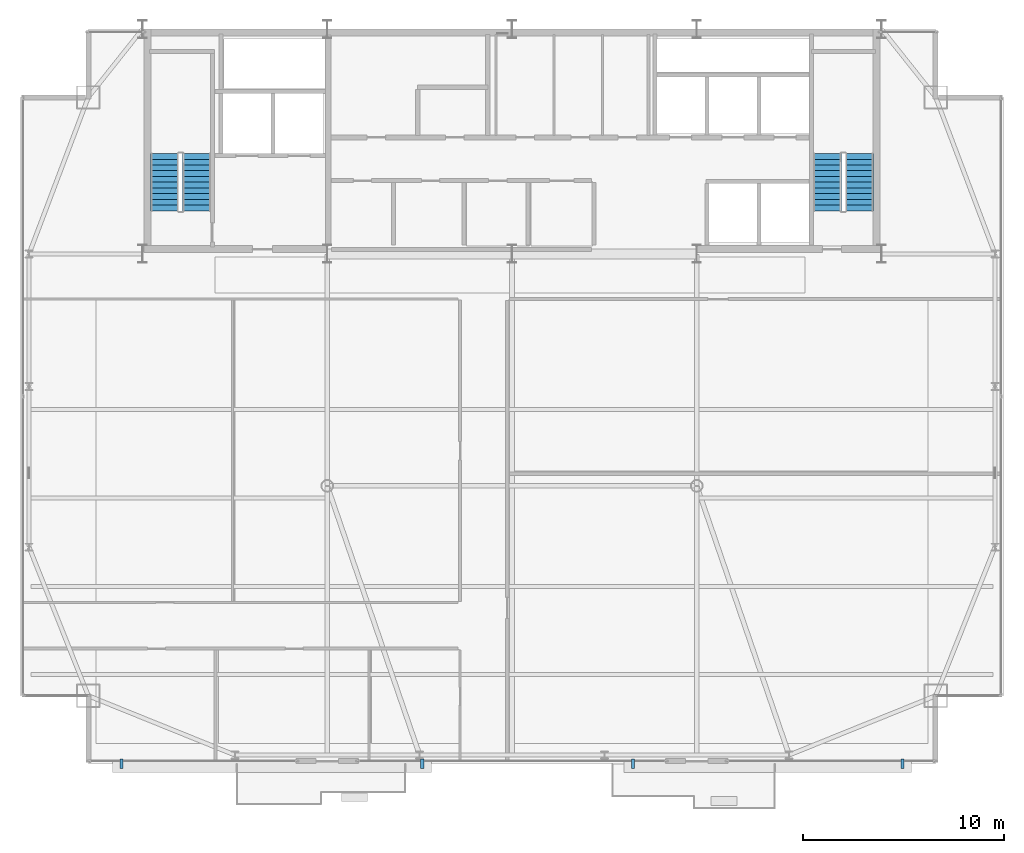
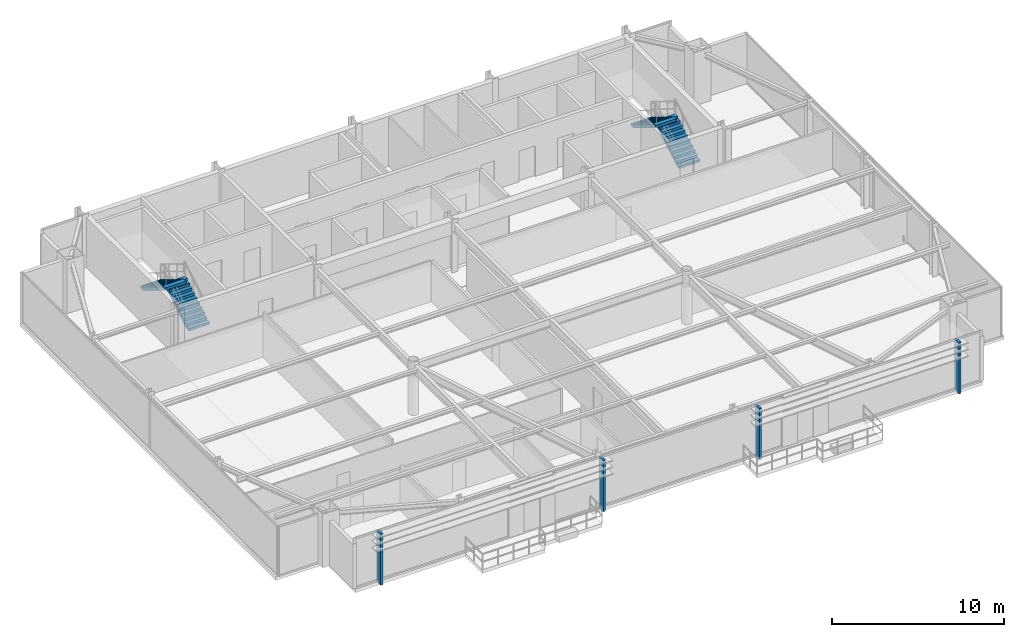
# One storey, part 28 of 30: 4 discrete accessories, 4 stair flights, 2 elements without a shape of their own.
"""IFC4 building model written with IfcOpenShell, lengths in metres."""

from ifc_helpers import new_model, si_unit, direction, frame, origin, origin_2d, place, context, subcontext, project, spatial, polyline, rectangle, outline, extrude, source, transform, mapped, material, layer, layer_set, type_object, type_shapes, element, aggregate, save


model = new_model("IFC4")

# Units and contexts
model_context = context("Model", 3, precision=1e-05, world=origin(), true_north=direction((0.0, 1.0)))
body_context = subcontext(model_context, "Body", "Model", "MODEL_VIEW")
ifc_project = project(units=[si_unit("LENGTHUNIT", "METRE"), si_unit("AREAUNIT", "SQUARE_METRE"), si_unit("VOLUMEUNIT", "CUBIC_METRE"), si_unit("PLANEANGLEUNIT", "RADIAN"), si_unit("MASSUNIT", "GRAM", prefix="KILO")], contexts=[model_context])

# Site, building, storey
site_placement = place(None, origin())
site = spatial("IfcSite", under=ifc_project, at=site_placement, CompositionType="ELEMENT")
building_placement = place(site_placement, origin())
building = spatial("IfcBuilding", under=site, at=building_placement, Name="Varnel Quay Broadcast Tower", CompositionType="ELEMENT")
storey_placement = place(building_placement, frame((0.0, 0.0, 222.60009765625)))
storey = spatial("IfcBuildingStorey", under=building, at=storey_placement, Name="L55", CompositionType="ELEMENT", Elevation=222.60009765625)

# Stair, stair flights
ifc_material_1 = material(Name="Precast Structural Concrete C40/50", Category="concrete")
stair_type_1 = type_object("IfcStairType", Name="Stair_ST-01", PredefinedType="HALF_TURN_STAIR", material=ifc_material_1)
stair_1_placement = place(storey_placement, origin())
stair_1 = element("IfcStair", 1, at=stair_1_placement, inside=storey, type_object=stair_type_1, Name="L55 West Core Exit Stair 1", PredefinedType="HALF_TURN_STAIR")
stair_flight_type_1 = type_object("IfcStairFlightType", Name="Flight_ST-01", PredefinedType="STRAIGHT", material=ifc_material_1)
stair_flight_1_placement = place(storey_placement, frame((18.300048828125, 37.75, 0.0), z_axis=(0.0, 0.0, 1.0), x_axis=(0.0, 1.0, 0.0)))
stair_flight_1 = element("IfcStairFlight", 2, at=stair_flight_1_placement, type_object=stair_flight_type_1, Name="ST-01 flight 1", NumberOfRisers=11, NumberOfTreads=10, PredefinedType="STRAIGHT", RiserHeight=0.172727273, TreadLength=0.285, context=body_context, shape_type="SweptSolid", body=[
    extrude(outline(polyline([(0.0, 0.0), (0.0, 0.172607421875), (0.284912109375, 0.172607421875), (0.284912109375, 0.345458984375), (0.570068359375, 0.345458984375), (0.570068359375, 0.51806640625), (0.85498046875, 0.51806640625), (0.85498046875, 0.69091796875), (1.139892578125, 0.69091796875), (1.139892578125, 0.863525390625), (1.425048828125, 0.863525390625), (1.425048828125, 1.036376953125), (1.7099609375, 1.036376953125), (1.7099609375, 1.208984375), (1.9951171875, 1.208984375), (1.9951171875, 1.3818359375), (2.280029296875, 1.3818359375), (2.280029296875, 1.554443359375), (2.56494140625, 1.554443359375), (2.56494140625, 1.727294921875), (2.85009765625, 1.727294921875), (2.85009765625, 1.89990234375), (2.85009765625, 1.552001953125), (0.289306640625, 0.0), (0.0, 0.0)])), frame((0.0, 0.699951171875, 0.0), z_axis=(0.0, -1.0, 0.0), x_axis=(1.0, 0.0, 0.0)), (0.0, 0.0, 1.0), 1.39990234375),
])
stair_flight_2_placement = place(storey_placement, frame((16.699951171875, 40.60009765625, 1.89990234375), z_axis=(0.0, 0.0, 1.0), x_axis=(0.0, -1.0, 0.0)))
stair_flight_2 = element("IfcStairFlight", 3, at=stair_flight_2_placement, type_object=stair_flight_type_1, Name="ST-01 flight 2", NumberOfRisers=11, NumberOfTreads=10, PredefinedType="STRAIGHT", RiserHeight=0.172727273, TreadLength=0.285, context=body_context, shape_type="SweptSolid", body=[
    extrude(outline(polyline([(0.0, 0.0), (0.0, 0.172607421875), (0.284912109375, 0.172607421875), (0.284912109375, 0.345458984375), (0.570068359375, 0.345458984375), (0.570068359375, 0.51806640625), (0.85498046875, 0.51806640625), (0.85498046875, 0.69091796875), (1.139892578125, 0.69091796875), (1.139892578125, 0.863525390625), (1.425048828125, 0.863525390625), (1.425048828125, 1.036376953125), (1.7099609375, 1.036376953125), (1.7099609375, 1.208984375), (1.9951171875, 1.208984375), (1.9951171875, 1.3818359375), (2.280029296875, 1.3818359375), (2.280029296875, 1.554443359375), (2.56494140625, 1.554443359375), (2.56494140625, 1.727294921875), (2.85009765625, 1.727294921875), (2.85009765625, 1.89990234375), (2.85009765625, 1.552001953125), (0.289306640625, 0.0), (0.0, 0.0)])), frame((0.0, 0.699951171875, 0.0), z_axis=(0.0, -1.0, 0.0), x_axis=(1.0, 0.0, 0.0)), (0.0, 0.0, 1.0), 1.39990234375),
])
aggregate(stair_1, [stair_flight_1, stair_flight_2])

stair_type_2 = type_object("IfcStairType", Name="Stair_ST-02", PredefinedType="HALF_TURN_STAIR", material=ifc_material_1)
stair_2_placement = place(storey_placement, origin())
stair_2 = element("IfcStair", 4, at=stair_2_placement, inside=storey, type_object=stair_type_2, Name="L55 East Core Exit Stair 2", PredefinedType="HALF_TURN_STAIR")
stair_flight_type_2 = type_object("IfcStairFlightType", Name="Flight_ST-02", PredefinedType="STRAIGHT", material=ifc_material_1)
stair_flight_3_placement = place(storey_placement, frame((51.300048828125, 37.75, 0.0), z_axis=(0.0, 0.0, 1.0), x_axis=(0.0, 1.0, 0.0)))
stair_flight_3 = element("IfcStairFlight", 5, at=stair_flight_3_placement, type_object=stair_flight_type_2, Name="ST-02 flight 1", NumberOfRisers=11, NumberOfTreads=10, PredefinedType="STRAIGHT", RiserHeight=0.172727273, TreadLength=0.285, context=body_context, shape_type="SweptSolid", body=[
    extrude(outline(polyline([(0.0, 0.0), (0.0, 0.172607421875), (0.284912109375, 0.172607421875), (0.284912109375, 0.345458984375), (0.570068359375, 0.345458984375), (0.570068359375, 0.51806640625), (0.85498046875, 0.51806640625), (0.85498046875, 0.69091796875), (1.139892578125, 0.69091796875), (1.139892578125, 0.863525390625), (1.425048828125, 0.863525390625), (1.425048828125, 1.036376953125), (1.7099609375, 1.036376953125), (1.7099609375, 1.208984375), (1.9951171875, 1.208984375), (1.9951171875, 1.3818359375), (2.280029296875, 1.3818359375), (2.280029296875, 1.554443359375), (2.56494140625, 1.554443359375), (2.56494140625, 1.727294921875), (2.85009765625, 1.727294921875), (2.85009765625, 1.89990234375), (2.85009765625, 1.552001953125), (0.289306640625, 0.0), (0.0, 0.0)])), frame((0.0, 0.699951171875, 0.0), z_axis=(0.0, -1.0, 0.0), x_axis=(1.0, 0.0, 0.0)), (0.0, 0.0, 1.0), 1.39990234375),
])
stair_flight_4_placement = place(storey_placement, frame((49.699951171875, 40.60009765625, 1.89990234375), z_axis=(0.0, 0.0, 1.0), x_axis=(0.0, -1.0, 0.0)))
stair_flight_4 = element("IfcStairFlight", 6, at=stair_flight_4_placement, type_object=stair_flight_type_2, Name="ST-02 flight 2", NumberOfRisers=11, NumberOfTreads=10, PredefinedType="STRAIGHT", RiserHeight=0.172727273, TreadLength=0.285, context=body_context, shape_type="SweptSolid", body=[
    extrude(outline(polyline([(0.0, 0.0), (0.0, 0.172607421875), (0.284912109375, 0.172607421875), (0.284912109375, 0.345458984375), (0.570068359375, 0.345458984375), (0.570068359375, 0.51806640625), (0.85498046875, 0.51806640625), (0.85498046875, 0.69091796875), (1.139892578125, 0.69091796875), (1.139892578125, 0.863525390625), (1.425048828125, 0.863525390625), (1.425048828125, 1.036376953125), (1.7099609375, 1.036376953125), (1.7099609375, 1.208984375), (1.9951171875, 1.208984375), (1.9951171875, 1.3818359375), (2.280029296875, 1.3818359375), (2.280029296875, 1.554443359375), (2.56494140625, 1.554443359375), (2.56494140625, 1.727294921875), (2.85009765625, 1.727294921875), (2.85009765625, 1.89990234375), (2.85009765625, 1.552001953125), (0.289306640625, 0.0), (0.0, 0.0)])), frame((0.0, 0.699951171875, 0.0), z_axis=(0.0, -1.0, 0.0), x_axis=(1.0, 0.0, 0.0)), (0.0, 0.0, 1.0), 1.39990234375),
])
aggregate(stair_2, [stair_flight_3, stair_flight_4])

# Discrete accessories
ifc_material_2 = material(Name="Anodised Bronze Aluminium 6063-T6", Category="aluminium")
ifc_layer = layer(ifc_material_2, 0.47998046875, Name="Anodised Bronze Aluminium 6063-T6")
ifc_layer_set = layer_set([ifc_layer], Name="Anodised Bronze Aluminium 6063-T6")
discrete_accessory_type = type_object("IfcDiscreteAccessoryType", Name="Acc_FacadeBracket", PredefinedType="BRACKET", material=ifc_layer_set)
shared_shape = source(origin(), body_context, "Body", "SweptSolid", [
    extrude(rectangle(XDim=0.159912109375, YDim=0.47998046875, at=origin_2d()), origin(), (0.0, 0.0, 1.0), 3.64990234375),
])
type_shapes(discrete_accessory_type, [shared_shape])
for number, where, z_axis, x_axis, name in (
    (7, (14.550048828125, 10.219970703125, -0.150146484375), (0.0, 0.0, 1.0), (1.0, 0.0, 0.0), "L55 Lobe 1 Louvre Support Bracket 1"),
    (8, (29.529052734375, 10.219970703125, -0.150146484375), (0.0, 0.0, 1.0), (1.0, 0.0, 0.0), "L55 Lobe 1 Louvre Support Bracket 2"),
    (9, (40.029052734375, 10.219970703125, -0.150146484375), (0.0, 0.0, 1.0), (1.0, 0.0, 0.0), "L55 Lobe 2 Louvre Support Bracket 1"),
    (10, (53.449951171875, 10.219970703125, -0.150146484375), (0.0, 0.0, 1.0), (1.0, 0.0, 0.0), "L55 Lobe 2 Louvre Support Bracket 2"),
):
    element("IfcDiscreteAccessory", number, at=place(storey_placement, frame(where, z_axis=z_axis, x_axis=x_axis)), inside=storey, type_object=discrete_accessory_type, Name=name, PredefinedType="BRACKET", context=body_context, shape_type="MappedRepresentation", body=[
        mapped(shared_shape, transform((0.0, 0.0, 0.0), x_axis=(1.0, 0.0, 0.0), y_axis=(0.0, 1.0, 0.0), z_axis=(0.0, 0.0, 1.0), scale=1.0)),
    ])

save(model, "model.ifc")
